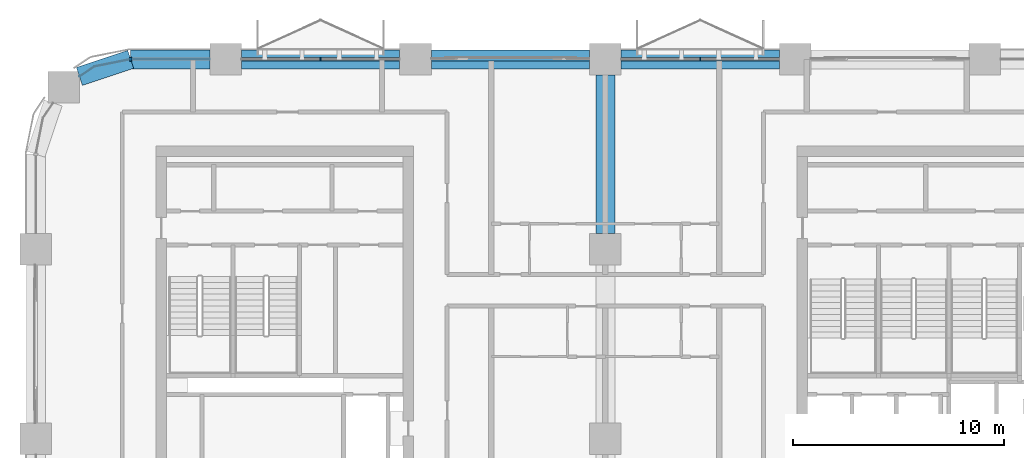
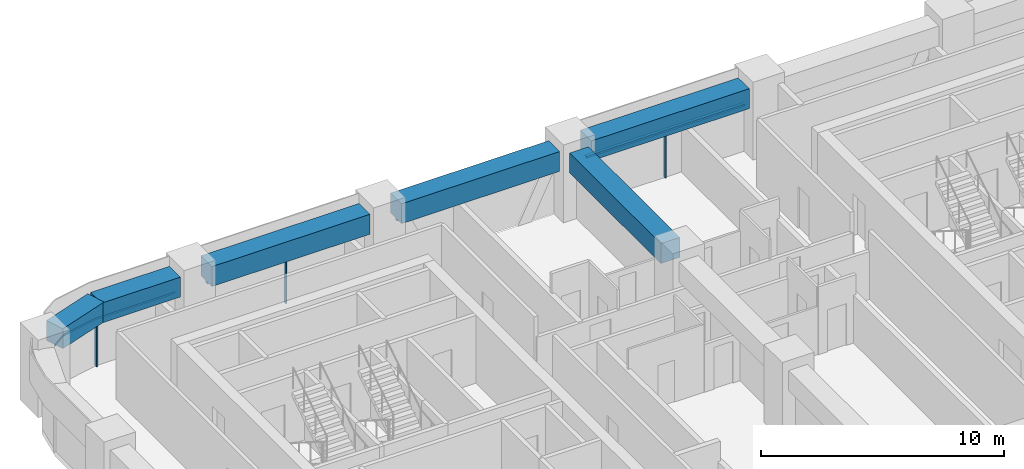
# One storey, part 4 of 14: 7 members, 6 beams, 4 elements without a shape of their own.
"""IFC4 building model written with IfcOpenShell, lengths in metres."""

from ifc_helpers import new_model, si_unit, direction, frame, origin, origin_2d, place, context, subcontext, project, spatial, polyline, rectangle, outline, extrude, material, material_profile, profile_set, type_object, element, aggregate, save


model = new_model("IFC4")

# Units and contexts
model_context = context("Model", 3, precision=1e-05, world=origin(), true_north=direction((0.0, 1.0)))
body_context = subcontext(model_context, "Body", "Model", "MODEL_VIEW")
ifc_project = project(units=[si_unit("LENGTHUNIT", "METRE"), si_unit("AREAUNIT", "SQUARE_METRE"), si_unit("VOLUMEUNIT", "CUBIC_METRE"), si_unit("PLANEANGLEUNIT", "RADIAN"), si_unit("MASSUNIT", "GRAM", prefix="KILO")], contexts=[model_context])

# Site, building, storey
site_placement = place(None, origin())
site = spatial("IfcSite", under=ifc_project, at=site_placement, CompositionType="ELEMENT")
building_placement = place(site_placement, origin())
building = spatial("IfcBuilding", under=site, at=building_placement, Name="Tessera Arch", CompositionType="ELEMENT")
storey_placement = place(building_placement, frame((0.0, 0.0, 193.39990234375)))
storey = spatial("IfcBuildingStorey", under=building, at=storey_placement, Name="L46", CompositionType="ELEMENT", Elevation=193.39990234375)

# Curtain wall, member
ifc_material_1 = material(Name="CW1 curtain wall")
curtain_wall_type_1 = type_object("IfcCurtainWallType", Name="CW1 curtain wall", PredefinedType="NOTDEFINED", material=ifc_material_1)
curtain_wall_1_placement = place(storey_placement, origin())
curtain_wall_1 = element("IfcCurtainWall", 1, at=curtain_wall_1_placement, inside=storey, type_object=curtain_wall_type_1, Name="CW1 curtain wall N54.0/2 L46", PredefinedType="NOTDEFINED")
ifc_material_2 = material(Name="Anodised aluminium pale metal", Category="aluminium")
ifc_material_profile_1 = material_profile(ifc_material_2, rectangle(XDim=0.159912109375, YDim=0.06005859375, at=origin_2d()), Name="AL 60x160")
ifc_profile_set_1 = profile_set([ifc_material_profile_1], Name="Anodised aluminium pale metal")
member_type_1 = type_object("IfcMemberType", Name="CW1 mullion", PredefinedType="MULLION", material=ifc_profile_set_1)
member_1_placement = place(storey_placement, frame((31.5, 54.0, 0.0), z_axis=(0.0, 0.0, 1.0), x_axis=(0.0, -1.0, 0.0)))
member_1 = element("IfcMember", 2, at=member_1_placement, type_object=member_type_1, Name="CW1 mullion N54.0/2 1", PredefinedType="MULLION", context=body_context, shape_type="SweptSolid", body=[
    extrude(rectangle(XDim=0.159912109375, YDim=0.06005859375, at=origin_2d()), origin(), (0.0, 0.0, 1.0), 2.300048828125),
])

curtain_wall_2_placement = place(storey_placement, origin())
curtain_wall_2 = element("IfcCurtainWall", 3, at=curtain_wall_2_placement, inside=storey, type_object=curtain_wall_type_1, Name="CW1 curtain wall N54.0/4 L46", PredefinedType="NOTDEFINED")
member_2_placement = place(storey_placement, frame((13.5, 54.0, 0.0), z_axis=(0.0, 0.0, 1.0), x_axis=(0.0, -1.0, 0.0)))
member_2 = element("IfcMember", 4, at=member_2_placement, type_object=member_type_1, Name="CW1 mullion N54.0/4 1", PredefinedType="MULLION", context=body_context, shape_type="SweptSolid", body=[
    extrude(rectangle(XDim=0.159912109375, YDim=0.06005859375, at=origin_2d()), origin(), (0.0, 0.0, 1.0), 2.300048828125),
])

# Member
ifc_material_3 = material(Name="Anodised aluminium pale metal", Category="aluminium")
ifc_material_profile_2 = material_profile(ifc_material_3, rectangle(XDim=0.159912109375, YDim=0.10009765625, at=origin_2d()), Name="AL 160x100")
ifc_profile_set_2 = profile_set([ifc_material_profile_2], Name="Anodised aluminium pale metal")
member_type_2 = type_object("IfcMemberType", Name="CW1 transom", PredefinedType="USERDEFINED", material=ifc_profile_set_2)
member_3_placement = place(storey_placement, frame((35.25, 54.0, 2.35009765625), z_axis=(-1.0, 0.0, 0.0), x_axis=(0.0, -1.0, 0.0)))
member_3 = element("IfcMember", 5, at=member_3_placement, type_object=member_type_2, Name="CW1 transom N54.0/2 1.1", ObjectType="TRANSOM", PredefinedType="USERDEFINED", context=body_context, shape_type="SweptSolid", body=[
    extrude(rectangle(XDim=0.159912109375, YDim=0.10009765625, at=origin_2d()), origin(), (0.0, 0.0, 1.0), 7.5),
])

aggregate(curtain_wall_1, [member_1, member_3])

member_4_placement = place(storey_placement, frame((17.25, 54.0, 2.35009765625), z_axis=(-1.0, 0.0, 0.0), x_axis=(0.0, -1.0, 0.0)))
member_4 = element("IfcMember", 6, at=member_4_placement, type_object=member_type_2, Name="CW1 transom N54.0/4 1.1", ObjectType="TRANSOM", PredefinedType="USERDEFINED", context=body_context, shape_type="SweptSolid", body=[
    extrude(rectangle(XDim=0.159912109375, YDim=0.10009765625, at=origin_2d()), origin(), (0.0, 0.0, 1.0), 7.5),
])

aggregate(curtain_wall_2, [member_2, member_4])

# Curtain wall, members
ifc_material_4 = material(Name="CW2 curtain wall")
curtain_wall_type_2 = type_object("IfcCurtainWallType", Name="CW2 curtain wall", PredefinedType="NOTDEFINED", material=ifc_material_4)
curtain_wall_3_placement = place(storey_placement, origin())
curtain_wall_3 = element("IfcCurtainWall", 7, at=curtain_wall_3_placement, inside=storey, type_object=curtain_wall_type_2, Name="CW2 curtain wall N54.0/5 L46", PredefinedType="NOTDEFINED")
ifc_material_5 = material(Name="Anodised aluminium pale metal", Category="aluminium")
ifc_material_profile_3 = material_profile(ifc_material_5, rectangle(XDim=0.199951171875, YDim=0.080078125, at=origin_2d()), Name="AL 80x200")
ifc_profile_set_3 = profile_set([ifc_material_profile_3], Name="Anodised aluminium pale metal")
member_type_3 = type_object("IfcMemberType", Name="CW2 mullion", PredefinedType="MULLION", material=ifc_profile_set_3)
member_5_placement = place(storey_placement, frame((4.5, 54.0, 0.0), z_axis=(0.0, 0.0, 1.0), x_axis=(0.0, -1.0, 0.0)))
member_5 = element("IfcMember", 8, at=member_5_placement, type_object=member_type_3, Name="CW2 mullion N54.0/5 1", PredefinedType="MULLION", context=body_context, shape_type="SweptSolid", body=[
    extrude(rectangle(XDim=0.199951171875, YDim=0.080078125, at=origin_2d()), origin(), (0.0, 0.0, 1.0), 2.300048828125),
])
ifc_material_6 = material(Name="Anodised aluminium pale metal", Category="aluminium")
ifc_material_profile_4 = material_profile(ifc_material_6, rectangle(XDim=0.199951171875, YDim=0.10009765625, at=origin_2d()), Name="AL 200x100")
ifc_profile_set_4 = profile_set([ifc_material_profile_4], Name="Anodised aluminium pale metal")
member_type_4 = type_object("IfcMemberType", Name="CW2 transom", PredefinedType="USERDEFINED", material=ifc_profile_set_4)
member_6_placement = place(storey_placement, frame((0.0, 0.0, 2.300048828125)))
member_6 = element("IfcMember", 9, at=member_6_placement, type_object=member_type_4, Name="CW2 transom N54.0/5 1", ObjectType="TRANSOM", PredefinedType="USERDEFINED", context=body_context, shape_type="SweptSolid", body=[
    extrude(outline(polyline([(4.5009765625, 53.989990234375), (8.25, 53.989990234375), (8.25, 54.010009765625), (4.4990234375, 54.010009765625), (2.77392578125, 53.6669921875), (2.0625, 53.19140625), (2.073486328125, 53.1748046875), (2.78173828125, 53.648193359375), (4.5009765625, 53.989990234375)])), origin(), (0.0, 0.0, 1.0), 0.10009765625),
])
aggregate(curtain_wall_3, [member_5, member_6])

# Curtain wall, member
ifc_material_7 = material(Name="CW3 curtain wall")
curtain_wall_type_3 = type_object("IfcCurtainWallType", Name="CW3 curtain wall", PredefinedType="NOTDEFINED", material=ifc_material_7)
curtain_wall_4_placement = place(storey_placement, origin())
curtain_wall_4 = element("IfcCurtainWall", 10, at=curtain_wall_4_placement, inside=storey, type_object=curtain_wall_type_3, Name="CW3 curtain wall N54.0/3 L46", PredefinedType="NOTDEFINED")
ifc_material_8 = material(Name="Anodised aluminium pale metal", Category="aluminium")
ifc_material_profile_5 = material_profile(ifc_material_8, rectangle(XDim=0.139892578125, YDim=0.10009765625, at=origin_2d()), Name="AL 140x100")
ifc_profile_set_5 = profile_set([ifc_material_profile_5], Name="Anodised aluminium pale metal")
member_type_5 = type_object("IfcMemberType", Name="CW3 transom", PredefinedType="USERDEFINED", material=ifc_profile_set_5)
member_7_placement = place(storey_placement, frame((26.25, 54.0, 2.35009765625), z_axis=(-1.0, 0.0, 0.0), x_axis=(0.0, -1.0, 0.0)))
member_7 = element("IfcMember", 11, at=member_7_placement, type_object=member_type_5, Name="CW3 transom N54.0/3 1.1", ObjectType="TRANSOM", PredefinedType="USERDEFINED", context=body_context, shape_type="SweptSolid", body=[
    extrude(rectangle(XDim=0.139892578125, YDim=0.10009765625, at=origin_2d()), origin(), (0.0, 0.0, 1.0), 7.5),
])
aggregate(curtain_wall_4, [member_7])

# Beams
ifc_material_9 = material(Name="Concrete C70/85", Category="concrete")
ifc_material_profile_6 = material_profile(ifc_material_9, rectangle(XDim=0.89990234375, YDim=1.0, at=origin_2d()), Name="RC spandrel beam 900 x 1000 Concrete C70/85")
ifc_profile_set_6 = profile_set([ifc_material_profile_6], Name="Concrete C70/85")
beam_type = type_object("IfcBeamType", Name="RC spandrel beam 900 x 1000 Concrete C70/85", PredefinedType="BEAM", material=ifc_profile_set_6)
for number, where, z_axis, x_axis, name in (
    (12, (35.25, 54.0, 2.900146484375), (-1.0, 0.0, 0.0), (0.0, -1.0, 0.0), "Spandrel beam L46 N54.0/2"),
    (13, (26.25, 54.0, 2.900146484375), (-1.0, 0.0, 0.0), (0.0, -1.0, 0.0), "Spandrel beam L46 N54.0/3"),
    (14, (17.25, 54.0, 2.900146484375), (-1.0, 0.0, 0.0), (0.0, -1.0, 0.0), "Spandrel beam L46 N54.0/4"),
):
    element("IfcBeam", number, at=place(storey_placement, frame(where, z_axis=z_axis, x_axis=x_axis)), inside=storey, type_object=beam_type, Name=name, PredefinedType="BEAM", context=body_context, shape_type="SweptSolid", body=[
        extrude(rectangle(XDim=0.89990234375, YDim=1.0, at=origin_2d()), origin(), (0.0, 0.0, 1.0), 7.5),
    ])
beam_1_placement = place(storey_placement, frame((8.25, 54.0, 2.900146484375), z_axis=(-1.0, 0.0, 0.0), x_axis=(0.0, -1.0, 0.0)))
element("IfcBeam", 15, at=beam_1_placement, inside=storey, type_object=beam_type, Name="Spandrel beam L46 N54.0/5.1", PredefinedType="BEAM", context=body_context, shape_type="SweptSolid", body=[
    extrude(rectangle(XDim=0.89990234375, YDim=1.0, at=origin_2d()), origin(), (0.0, 0.0, 1.0), 3.75),
])
beam_2_placement = place(storey_placement, frame((4.5, 54.0, 2.900146484375), z_axis=(-0.947947973234, -0.31842525032, 0.0), x_axis=(0.31842525032, -0.947947973234, 0.0)))
element("IfcBeam", 16, at=beam_2_placement, inside=storey, type_object=beam_type, Name="Spandrel beam L46 N54.0/5.2", PredefinedType="BEAM", context=body_context, shape_type="SweptSolid", body=[
    extrude(rectangle(XDim=0.89990234375, YDim=1.0, at=origin_2d()), origin(), (0.0, 0.0, 1.0), 2.5654296875),
])
beam_3_placement = place(storey_placement, frame((27.0, 45.75, 2.900146484375), z_axis=(0.0, 1.0, 0.0), x_axis=(-1.0, 0.0, 0.0)))
element("IfcBeam", 17, at=beam_3_placement, inside=storey, type_object=beam_type, Name="Interface beam L46 I0C4F-C4G", PredefinedType="BEAM", context=body_context, shape_type="SweptSolid", body=[
    extrude(rectangle(XDim=0.89990234375, YDim=1.0, at=origin_2d()), origin(), (0.0, 0.0, 1.0), 7.5),
])

save(model, "model.ifc")
